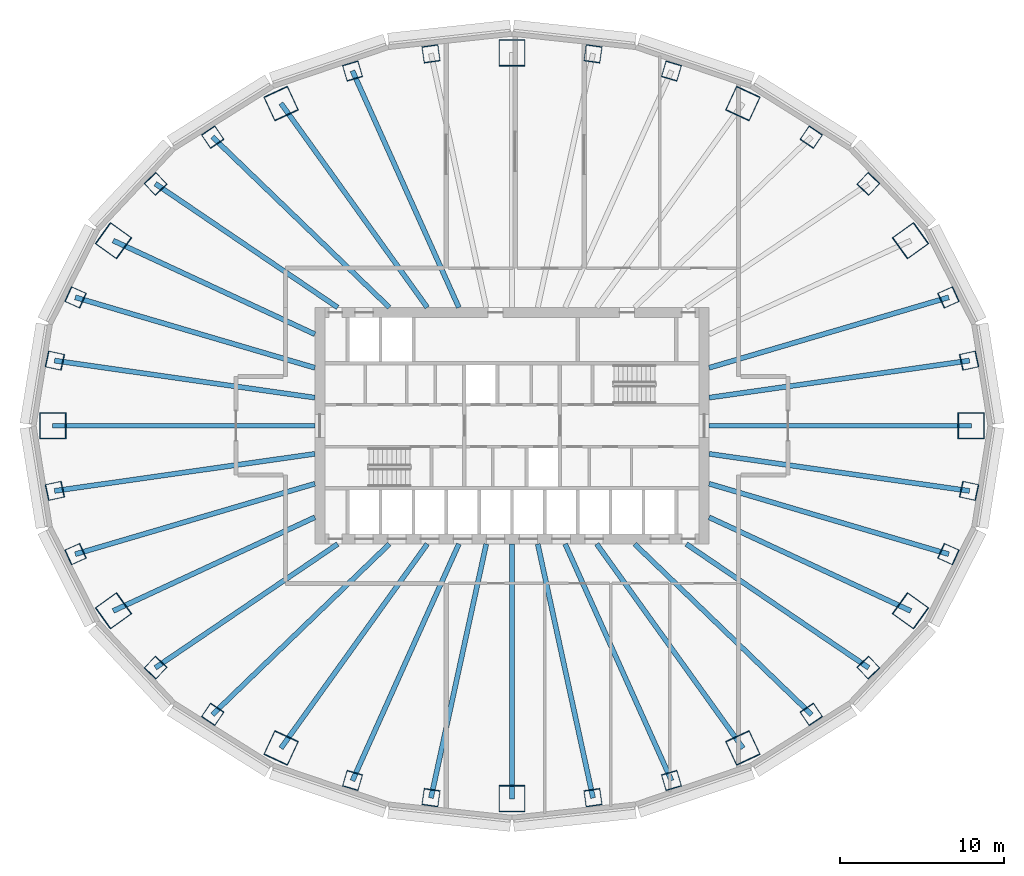
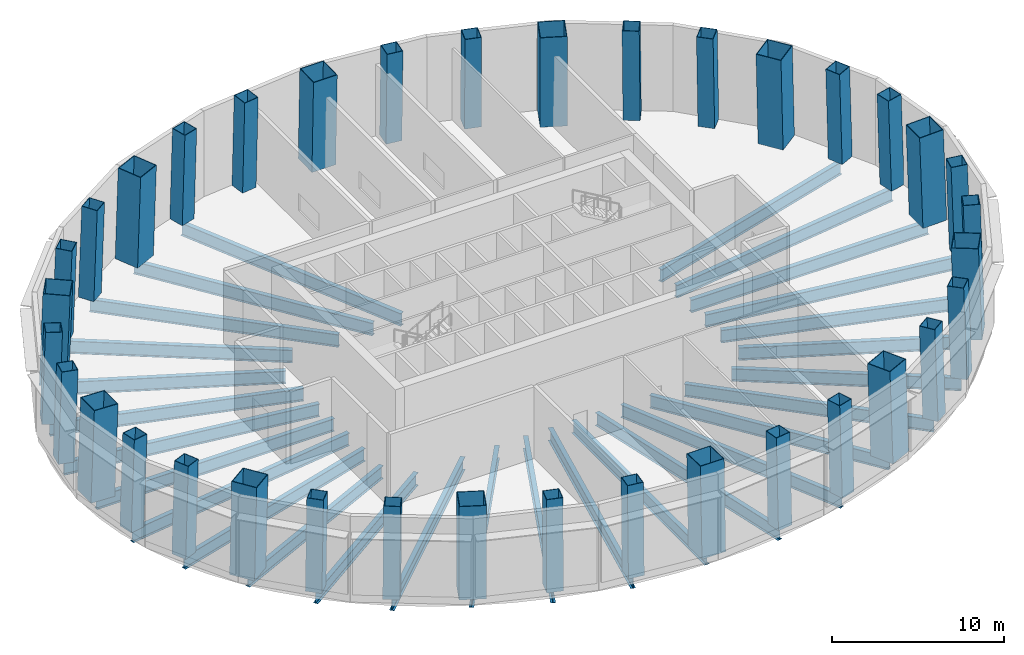
# One storey, part 1 of 9: 36 columns, 28 beams.
"""IFC4 building model written with IfcOpenShell, lengths in metres."""

from ifc_helpers import new_model, si_unit, direction, frame, origin, origin_2d, place, context, subcontext, project, spatial, hollow_rectangle, i_section, extrude, material, material_profile, profile_set, type_object, element, save


model = new_model("IFC4")

# Units and contexts
model_context = context("Model", 3, precision=1e-05, world=origin(), true_north=direction((0.0, 1.0)))
body_context = subcontext(model_context, "Body", "Model", "MODEL_VIEW")
ifc_project = project(units=[si_unit("LENGTHUNIT", "METRE"), si_unit("AREAUNIT", "SQUARE_METRE"), si_unit("VOLUMEUNIT", "CUBIC_METRE"), si_unit("PLANEANGLEUNIT", "RADIAN"), si_unit("MASSUNIT", "GRAM", prefix="KILO")], contexts=[model_context])

# Site, building, storey
site_placement = place(None, origin())
site = spatial("IfcSite", under=ifc_project, at=site_placement, CompositionType="ELEMENT")
building_placement = place(site_placement, origin())
building = spatial("IfcBuilding", under=site, at=building_placement, Name="Siaravel Broadcast Tower", CompositionType="ELEMENT")
storey_placement = place(building_placement, frame((0.0, 0.0, 13.5)))
storey = spatial("IfcBuildingStorey", under=building, at=storey_placement, Name="L02", CompositionType="ELEMENT", Elevation=13.5)

# Columns
ifc_material_1 = material(Name="Concrete C70/85", Category="concrete")
ifc_material_profile_1 = material_profile(ifc_material_1, hollow_rectangle(XDim=1.0, YDim=1.0, WallThickness=0.031982421875, at=origin_2d()))
ifc_profile_set_1 = profile_set([ifc_material_profile_1], Name="Concrete C70/85")
column_type_1 = type_object("IfcColumnType", Name="COL-CFT BOX 1000x1000x32", PredefinedType="COLUMN", material=ifc_profile_set_1)
column_1_placement = place(storey_placement, frame((27.851318359375, 3.96728515625, 0.0), z_axis=(-0.034084339, -0.004917454, 0.999406862), x_axis=(0.212163477, -0.977231174, 0.002427402)))
element("IfcColumn", 1, at=column_1_placement, inside=storey, type_object=column_type_1, Name="Perimeter column C01", PredefinedType="COLUMN", context=body_context, shape_type="SweptSolid", body=[
    extrude(hollow_rectangle(XDim=1.0, YDim=1.0, WallThickness=0.031982421875, at=origin_2d()), origin(), (0.0, 0.0, 1.0), 6.50390625),
])
column_2_placement = place(storey_placement, frame((26.590576171875, 7.820556640625, 0.0), z_axis=(-0.032508325, -0.009684928, 0.99942454), x_axis=(0.409196382, -0.912435399, 0.004467989)))
element("IfcColumn", 2, at=column_2_placement, inside=storey, type_object=column_type_1, Name="Perimeter column C02", PredefinedType="COLUMN", context=body_context, shape_type="SweptSolid", body=[
    extrude(hollow_rectangle(XDim=1.0, YDim=1.0, WallThickness=0.031982421875, at=origin_2d()), origin(), (0.0, 0.0, 1.0), 6.503662109375),
])
column_3_placement = place(storey_placement, frame((21.7138671875, 14.736083984375, 0.0), z_axis=(-0.026503697, -0.018244755, 0.999482207), x_axis=(0.720114233, -0.693825729, 0.006430339)))
element("IfcColumn", 3, at=column_3_placement, inside=storey, type_object=column_type_1, Name="Perimeter column C03", PredefinedType="COLUMN", context=body_context, shape_type="SweptSolid", body=[
    extrude(hollow_rectangle(XDim=1.0, YDim=1.0, WallThickness=0.031982421875, at=origin_2d()), origin(), (0.0, 0.0, 1.0), 6.50341796875),
])
column_4_placement = place(storey_placement, frame((18.23583984375, 17.584716796875, 0.0), z_axis=(-0.02222483, -0.021736785, 0.999516668), x_axis=(0.828029857, -0.560649514, 0.006219111)))
element("IfcColumn", 4, at=column_4_placement, inside=storey, type_object=column_type_1, Name="Perimeter column C04", PredefinedType="COLUMN", context=body_context, shape_type="SweptSolid", body=[
    extrude(hollow_rectangle(XDim=1.0, YDim=1.0, WallThickness=0.031982421875, at=origin_2d()), origin(), (0.0, 0.0, 1.0), 6.503173828125),
])
for number, where, z_axis, x_axis, name in (
    (5, (9.7158203125, 21.61279296875, 0.0), (-0.011863949, -0.026618797, 0.999575253), (0.95920508, -0.282684877, 0.003856867), "Perimeter column C05"),
    (6, (4.9345703125, 22.662109375, 0.0), (-0.006007168, -0.027895787, 0.999592787), (0.99004787, -0.140716468, 0.002022811), "Perimeter column C06"),
    (7, (-4.9345703125, 22.662109375, 0.0), (0.006007168, -0.027895787, 0.999592787), (0.99004787, 0.140716468, -0.002022811), "Perimeter column C07"),
    (8, (-9.7158203125, 21.61279296875, 0.0), (0.011863949, -0.026618797, 0.999575253), (0.95920508, 0.282684877, -0.003856867), "Perimeter column C08"),
):
    element("IfcColumn", number, at=place(storey_placement, frame(where, z_axis=z_axis, x_axis=x_axis)), inside=storey, type_object=column_type_1, Name=name, PredefinedType="COLUMN", context=body_context, shape_type="SweptSolid", body=[
        extrude(hollow_rectangle(XDim=1.0, YDim=1.0, WallThickness=0.031982421875, at=origin_2d()), origin(), (0.0, 0.0, 1.0), 6.502685546875),
    ])
column_5_placement = place(storey_placement, frame((-18.23583984375, 17.584716796875, 0.0), z_axis=(0.02222483, -0.021736785, 0.999516668), x_axis=(0.828029857, 0.560649514, -0.006219111)))
element("IfcColumn", 9, at=column_5_placement, inside=storey, type_object=column_type_1, Name="Perimeter column C09", PredefinedType="COLUMN", context=body_context, shape_type="SweptSolid", body=[
    extrude(hollow_rectangle(XDim=1.0, YDim=1.0, WallThickness=0.031982421875, at=origin_2d()), origin(), (0.0, 0.0, 1.0), 6.503173828125),
])
column_6_placement = place(storey_placement, frame((-21.7138671875, 14.736083984375, 0.0), z_axis=(0.026503697, -0.018244755, 0.999482207), x_axis=(0.720114233, 0.693825729, -0.006430339)))
element("IfcColumn", 10, at=column_6_placement, inside=storey, type_object=column_type_1, Name="Perimeter column C10", PredefinedType="COLUMN", context=body_context, shape_type="SweptSolid", body=[
    extrude(hollow_rectangle(XDim=1.0, YDim=1.0, WallThickness=0.031982421875, at=origin_2d()), origin(), (0.0, 0.0, 1.0), 6.50341796875),
])
column_7_placement = place(storey_placement, frame((-26.590576171875, 7.820556640625, 0.0), z_axis=(0.032508325, -0.009684928, 0.99942454), x_axis=(0.409196382, 0.912435399, -0.004467989)))
element("IfcColumn", 11, at=column_7_placement, inside=storey, type_object=column_type_1, Name="Perimeter column C11", PredefinedType="COLUMN", context=body_context, shape_type="SweptSolid", body=[
    extrude(hollow_rectangle(XDim=1.0, YDim=1.0, WallThickness=0.031982421875, at=origin_2d()), origin(), (0.0, 0.0, 1.0), 6.503662109375),
])
for number, where, z_axis, x_axis, name in (
    (12, (-27.851318359375, 3.96728515625, 0.0), (0.034084339, -0.004917454, 0.999406862), (0.212163477, 0.977231174, -0.002427402), "Perimeter column C12"),
    (13, (-27.851318359375, -3.96728515625, 0.0), (0.034084339, 0.004917454, 0.999406862), (-0.212163477, 0.977231174, 0.002427402), "Perimeter column C13"),
):
    element("IfcColumn", number, at=place(storey_placement, frame(where, z_axis=z_axis, x_axis=x_axis)), inside=storey, type_object=column_type_1, Name=name, PredefinedType="COLUMN", context=body_context, shape_type="SweptSolid", body=[
        extrude(hollow_rectangle(XDim=1.0, YDim=1.0, WallThickness=0.031982421875, at=origin_2d()), origin(), (0.0, 0.0, 1.0), 6.50390625),
    ])
column_8_placement = place(storey_placement, frame((-26.590576171875, -7.820556640625, 0.0), z_axis=(0.032508325, 0.009684928, 0.99942454), x_axis=(-0.409196382, 0.912435399, 0.004467989)))
element("IfcColumn", 14, at=column_8_placement, inside=storey, type_object=column_type_1, Name="Perimeter column C14", PredefinedType="COLUMN", context=body_context, shape_type="SweptSolid", body=[
    extrude(hollow_rectangle(XDim=1.0, YDim=1.0, WallThickness=0.031982421875, at=origin_2d()), origin(), (0.0, 0.0, 1.0), 6.503662109375),
])
column_9_placement = place(storey_placement, frame((-21.7138671875, -14.736083984375, 0.0), z_axis=(0.026503697, 0.018244755, 0.999482207), x_axis=(-0.720114233, 0.693825729, 0.006430339)))
element("IfcColumn", 15, at=column_9_placement, inside=storey, type_object=column_type_1, Name="Perimeter column C15", PredefinedType="COLUMN", context=body_context, shape_type="SweptSolid", body=[
    extrude(hollow_rectangle(XDim=1.0, YDim=1.0, WallThickness=0.031982421875, at=origin_2d()), origin(), (0.0, 0.0, 1.0), 6.50341796875),
])
column_10_placement = place(storey_placement, frame((-18.23583984375, -17.584716796875, 0.0), z_axis=(0.02222483, 0.021736785, 0.999516668), x_axis=(-0.828029857, 0.560649514, 0.006219111)))
element("IfcColumn", 16, at=column_10_placement, inside=storey, type_object=column_type_1, Name="Perimeter column C16", PredefinedType="COLUMN", context=body_context, shape_type="SweptSolid", body=[
    extrude(hollow_rectangle(XDim=1.0, YDim=1.0, WallThickness=0.031982421875, at=origin_2d()), origin(), (0.0, 0.0, 1.0), 6.503173828125),
])
for number, where, z_axis, x_axis, name in (
    (17, (-9.7158203125, -21.61279296875, 0.0), (0.011863949, 0.026618797, 0.999575253), (-0.95920508, 0.282684877, 0.003856867), "Perimeter column C17"),
    (18, (-4.9345703125, -22.662109375, 0.0), (0.006007168, 0.027895787, 0.999592787), (-0.99004787, 0.140716468, 0.002022811), "Perimeter column C18"),
    (19, (4.9345703125, -22.662109375, 0.0), (-0.006007168, 0.027895787, 0.999592787), (-0.99004787, -0.140716468, -0.002022811), "Perimeter column C19"),
    (20, (9.7158203125, -21.61279296875, 0.0), (-0.011863949, 0.026618797, 0.999575253), (-0.95920508, -0.282684877, -0.003856867), "Perimeter column C20"),
):
    element("IfcColumn", number, at=place(storey_placement, frame(where, z_axis=z_axis, x_axis=x_axis)), inside=storey, type_object=column_type_1, Name=name, PredefinedType="COLUMN", context=body_context, shape_type="SweptSolid", body=[
        extrude(hollow_rectangle(XDim=1.0, YDim=1.0, WallThickness=0.031982421875, at=origin_2d()), origin(), (0.0, 0.0, 1.0), 6.502685546875),
    ])
column_11_placement = place(storey_placement, frame((18.23583984375, -17.584716796875, 0.0), z_axis=(-0.02222483, 0.021736785, 0.999516668), x_axis=(-0.828029857, -0.560649514, -0.006219111)))
element("IfcColumn", 21, at=column_11_placement, inside=storey, type_object=column_type_1, Name="Perimeter column C21", PredefinedType="COLUMN", context=body_context, shape_type="SweptSolid", body=[
    extrude(hollow_rectangle(XDim=1.0, YDim=1.0, WallThickness=0.031982421875, at=origin_2d()), origin(), (0.0, 0.0, 1.0), 6.503173828125),
])
column_12_placement = place(storey_placement, frame((21.7138671875, -14.736083984375, 0.0), z_axis=(-0.026503697, 0.018244755, 0.999482207), x_axis=(-0.720114233, -0.693825729, -0.006430339)))
element("IfcColumn", 22, at=column_12_placement, inside=storey, type_object=column_type_1, Name="Perimeter column C22", PredefinedType="COLUMN", context=body_context, shape_type="SweptSolid", body=[
    extrude(hollow_rectangle(XDim=1.0, YDim=1.0, WallThickness=0.031982421875, at=origin_2d()), origin(), (0.0, 0.0, 1.0), 6.50341796875),
])
column_13_placement = place(storey_placement, frame((26.590576171875, -7.820556640625, 0.0), z_axis=(-0.032508325, 0.009684928, 0.99942454), x_axis=(-0.409196382, -0.912435399, -0.004467989)))
element("IfcColumn", 23, at=column_13_placement, inside=storey, type_object=column_type_1, Name="Perimeter column C23", PredefinedType="COLUMN", context=body_context, shape_type="SweptSolid", body=[
    extrude(hollow_rectangle(XDim=1.0, YDim=1.0, WallThickness=0.031982421875, at=origin_2d()), origin(), (0.0, 0.0, 1.0), 6.503662109375),
])
column_14_placement = place(storey_placement, frame((27.851318359375, -3.96728515625, 0.0), z_axis=(-0.034084339, 0.004917454, 0.999406862), x_axis=(-0.212163477, -0.977231174, -0.002427402)))
element("IfcColumn", 24, at=column_14_placement, inside=storey, type_object=column_type_1, Name="Perimeter column C24", PredefinedType="COLUMN", context=body_context, shape_type="SweptSolid", body=[
    extrude(hollow_rectangle(XDim=1.0, YDim=1.0, WallThickness=0.031982421875, at=origin_2d()), origin(), (0.0, 0.0, 1.0), 6.50390625),
])
ifc_material_profile_2 = material_profile(ifc_material_1, hollow_rectangle(XDim=1.60009765625, YDim=1.60009765625, WallThickness=0.0400390625, at=origin_2d()))
ifc_profile_set_2 = profile_set([ifc_material_profile_2], Name="Concrete C70/85")
column_type_2 = type_object("IfcColumnType", Name="COL-CFT BOX 1600x1600x40", PredefinedType="COLUMN", material=ifc_profile_set_2)
column_15_placement = place(storey_placement, frame((27.97509765625, 0.0, 0.0), z_axis=(-0.034609662, 0.0, 0.999400906), x_axis=(0.0, -1.0, 0.0)))
element("IfcColumn", 25, at=column_15_placement, inside=storey, type_object=column_type_2, Name="Megacolumn MC01", PredefinedType="COLUMN", context=body_context, shape_type="SweptSolid", body=[
    extrude(hollow_rectangle(XDim=1.60009765625, YDim=1.60009765625, WallThickness=0.0400390625, at=origin_2d()), origin(), (0.0, 0.0, 1.0), 6.50390625),
])
column_16_placement = place(storey_placement, frame((24.280517578125, 11.274169921875, 0.0), z_axis=(-0.029956486, -0.014189914, 0.999450477), x_axis=(0.582278142, -0.812968162, 0.005910306)))
element("IfcColumn", 26, at=column_16_placement, inside=storey, type_object=column_type_2, Name="Megacolumn MC02", PredefinedType="COLUMN", context=body_context, shape_type="SweptSolid", body=[
    extrude(hollow_rectangle(XDim=1.60009765625, YDim=1.60009765625, WallThickness=0.0400390625, at=origin_2d()), origin(), (0.0, 0.0, 1.0), 6.503662109375),
])
column_17_placement = place(storey_placement, frame((14.067138671875, 19.630615234375, 0.0), z_axis=(-0.017269858, -0.024553233, 0.999549344), x_axis=(0.907685878, -0.419615843, 0.005375103)))
element("IfcColumn", 27, at=column_17_placement, inside=storey, type_object=column_type_2, Name="Megacolumn MC03", PredefinedType="COLUMN", context=body_context, shape_type="SweptSolid", body=[
    extrude(hollow_rectangle(XDim=1.60009765625, YDim=1.60009765625, WallThickness=0.0400390625, at=origin_2d()), origin(), (0.0, 0.0, 1.0), 6.5029296875),
])
column_18_placement = place(storey_placement, frame((0.0, 22.7158203125, 0.0), z_axis=(0.0, -0.028346477, 0.999598158), x_axis=(1.0, 0.0, 0.0)))
element("IfcColumn", 28, at=column_18_placement, inside=storey, type_object=column_type_2, Name="Megacolumn MC04", PredefinedType="COLUMN", context=body_context, shape_type="SweptSolid", body=[
    extrude(hollow_rectangle(XDim=1.60009765625, YDim=1.60009765625, WallThickness=0.0400390625, at=origin_2d()), origin(), (0.0, 0.0, 1.0), 6.502685546875),
])
column_19_placement = place(storey_placement, frame((-14.067138671875, 19.630615234375, 0.0), z_axis=(0.017269858, -0.024553233, 0.999549344), x_axis=(0.907685878, 0.419615843, -0.005375103)))
element("IfcColumn", 29, at=column_19_placement, inside=storey, type_object=column_type_2, Name="Megacolumn MC05", PredefinedType="COLUMN", context=body_context, shape_type="SweptSolid", body=[
    extrude(hollow_rectangle(XDim=1.60009765625, YDim=1.60009765625, WallThickness=0.0400390625, at=origin_2d()), origin(), (0.0, 0.0, 1.0), 6.5029296875),
])
column_20_placement = place(storey_placement, frame((-24.280517578125, 11.274169921875, 0.0), z_axis=(0.029956486, -0.014189914, 0.999450477), x_axis=(0.582278142, 0.812968162, -0.005910306)))
element("IfcColumn", 30, at=column_20_placement, inside=storey, type_object=column_type_2, Name="Megacolumn MC06", PredefinedType="COLUMN", context=body_context, shape_type="SweptSolid", body=[
    extrude(hollow_rectangle(XDim=1.60009765625, YDim=1.60009765625, WallThickness=0.0400390625, at=origin_2d()), origin(), (0.0, 0.0, 1.0), 6.503662109375),
])
column_21_placement = place(storey_placement, frame((-27.97509765625, 0.0, 0.0), z_axis=(0.034609662, 0.0, 0.999400906), x_axis=(0.0, 1.0, 0.0)))
element("IfcColumn", 31, at=column_21_placement, inside=storey, type_object=column_type_2, Name="Megacolumn MC07", PredefinedType="COLUMN", context=body_context, shape_type="SweptSolid", body=[
    extrude(hollow_rectangle(XDim=1.60009765625, YDim=1.60009765625, WallThickness=0.0400390625, at=origin_2d()), origin(), (0.0, 0.0, 1.0), 6.50390625),
])
column_22_placement = place(storey_placement, frame((-24.280517578125, -11.274169921875, 0.0), z_axis=(0.029956486, 0.014189914, 0.999450477), x_axis=(-0.582278142, 0.812968162, 0.005910306)))
element("IfcColumn", 32, at=column_22_placement, inside=storey, type_object=column_type_2, Name="Megacolumn MC08", PredefinedType="COLUMN", context=body_context, shape_type="SweptSolid", body=[
    extrude(hollow_rectangle(XDim=1.60009765625, YDim=1.60009765625, WallThickness=0.0400390625, at=origin_2d()), origin(), (0.0, 0.0, 1.0), 6.503662109375),
])
column_23_placement = place(storey_placement, frame((-14.067138671875, -19.630615234375, 0.0), z_axis=(0.017269858, 0.024553233, 0.999549344), x_axis=(-0.907685878, 0.419615843, 0.005375103)))
element("IfcColumn", 33, at=column_23_placement, inside=storey, type_object=column_type_2, Name="Megacolumn MC09", PredefinedType="COLUMN", context=body_context, shape_type="SweptSolid", body=[
    extrude(hollow_rectangle(XDim=1.60009765625, YDim=1.60009765625, WallThickness=0.0400390625, at=origin_2d()), origin(), (0.0, 0.0, 1.0), 6.5029296875),
])
column_24_placement = place(storey_placement, frame((0.0, -22.7158203125, 0.0), z_axis=(0.0, 0.028346477, 0.999598158), x_axis=(-1.0, 0.0, 0.0)))
element("IfcColumn", 34, at=column_24_placement, inside=storey, type_object=column_type_2, Name="Megacolumn MC10", PredefinedType="COLUMN", context=body_context, shape_type="SweptSolid", body=[
    extrude(hollow_rectangle(XDim=1.60009765625, YDim=1.60009765625, WallThickness=0.0400390625, at=origin_2d()), origin(), (0.0, 0.0, 1.0), 6.502685546875),
])
column_25_placement = place(storey_placement, frame((14.067138671875, -19.630615234375, 0.0), z_axis=(-0.017269858, 0.024553233, 0.999549344), x_axis=(-0.907685878, -0.419615843, -0.005375103)))
element("IfcColumn", 35, at=column_25_placement, inside=storey, type_object=column_type_2, Name="Megacolumn MC11", PredefinedType="COLUMN", context=body_context, shape_type="SweptSolid", body=[
    extrude(hollow_rectangle(XDim=1.60009765625, YDim=1.60009765625, WallThickness=0.0400390625, at=origin_2d()), origin(), (0.0, 0.0, 1.0), 6.5029296875),
])
column_26_placement = place(storey_placement, frame((24.280517578125, -11.274169921875, 0.0), z_axis=(-0.029956486, 0.014189914, 0.999450477), x_axis=(-0.582278142, -0.812968162, -0.005910306)))
element("IfcColumn", 36, at=column_26_placement, inside=storey, type_object=column_type_2, Name="Megacolumn MC12", PredefinedType="COLUMN", context=body_context, shape_type="SweptSolid", body=[
    extrude(hollow_rectangle(XDim=1.60009765625, YDim=1.60009765625, WallThickness=0.0400390625, at=origin_2d()), origin(), (0.0, 0.0, 1.0), 6.503662109375),
])

# Beams
ifc_material_2 = material(Name="Steel S355", Category="steel")
ifc_material_profile_3 = material_profile(ifc_material_2, i_section(OverallWidth=0.30322265625, OverallDepth=0.903076171875, WebThickness=0.01513671875, FlangeThickness=0.020263671875, FilletRadius=0.01904296875, at=origin_2d()))
ifc_profile_set_3 = profile_set([ifc_material_profile_3], Name="Steel S355")
beam_type = type_object("IfcBeamType", Name="BM-UB 914x305x201", PredefinedType="BEAM", material=ifc_profile_set_3)
beam_1_placement = place(storey_placement, frame((27.97509765625, 0.0, -0.651611328125), z_axis=(-1.0, 0.0, 0.0), x_axis=(0.0, -1.0, 0.0)))
element("IfcBeam", 37, at=beam_1_placement, inside=storey, type_object=beam_type, Name="Radial beam RB01", PredefinedType="BEAM", context=body_context, shape_type="SweptSolid", body=[
    extrude(i_section(OverallWidth=0.30322265625, OverallDepth=0.903076171875, WebThickness=0.01513671875, FlangeThickness=0.020263671875, FilletRadius=0.01904296875, at=origin_2d()), origin(), (0.0, 0.0, 1.0), 15.97509765625),
])
beam_2_placement = place(storey_placement, frame((27.851318359375, 3.96728515625, -0.651611328125), z_axis=(-0.990005528, -0.141028557, 0.0), x_axis=(0.141028557, -0.990005528, 0.0)))
element("IfcBeam", 38, at=beam_2_placement, inside=storey, type_object=beam_type, Name="Radial beam RB02", PredefinedType="BEAM", context=body_context, shape_type="SweptSolid", body=[
    extrude(i_section(OverallWidth=0.30322265625, OverallDepth=0.903076171875, WebThickness=0.01513671875, FlangeThickness=0.020263671875, FilletRadius=0.01904296875, at=origin_2d()), origin(), (0.0, 0.0, 1.0), 16.01123046875),
])
beam_3_placement = place(storey_placement, frame((26.590576171875, 7.820556640625, -0.651611328125), z_axis=(-0.959367035, -0.282161109, 0.0), x_axis=(0.282161109, -0.959367035, 0.0)))
element("IfcBeam", 39, at=beam_3_placement, inside=storey, type_object=beam_type, Name="Radial beam RB03", PredefinedType="BEAM", context=body_context, shape_type="SweptSolid", body=[
    extrude(i_section(OverallWidth=0.30322265625, OverallDepth=0.903076171875, WebThickness=0.01513671875, FlangeThickness=0.020263671875, FilletRadius=0.01904296875, at=origin_2d()), origin(), (0.0, 0.0, 1.0), 15.20849609375),
])
beam_4_placement = place(storey_placement, frame((-9.7158203125, 21.61279296875, -0.651611328125), z_axis=(0.410020963, -0.912076099, 0.0), x_axis=(0.912076099, 0.410020963, 0.0)))
element("IfcBeam", 40, at=beam_4_placement, inside=storey, type_object=beam_type, Name="Radial beam RB12", PredefinedType="BEAM", context=body_context, shape_type="SweptSolid", body=[
    extrude(i_section(OverallWidth=0.30322265625, OverallDepth=0.903076171875, WebThickness=0.01513671875, FlangeThickness=0.020263671875, FilletRadius=0.01904296875, at=origin_2d()), origin(), (0.0, 0.0, 1.0), 15.80224609375),
])
beam_5_placement = place(storey_placement, frame((-14.067138671875, 19.630615234375, -0.651611328125), z_axis=(0.582478861, -0.81284585, 0.0), x_axis=(0.81284585, 0.582478861, 0.0)))
element("IfcBeam", 41, at=beam_5_placement, inside=storey, type_object=beam_type, Name="Radial beam RB13", PredefinedType="BEAM", context=body_context, shape_type="SweptSolid", body=[
    extrude(i_section(OverallWidth=0.30322265625, OverallDepth=0.903076171875, WebThickness=0.01513671875, FlangeThickness=0.020263671875, FilletRadius=0.01904296875, at=origin_2d()), origin(), (0.0, 0.0, 1.0), 15.292724609375),
])
beam_6_placement = place(storey_placement, frame((-18.23583984375, 17.584716796875, -0.651611328125), z_axis=(0.719833229, -0.694147047, 0.0), x_axis=(0.694147047, 0.719833229, 0.0)))
element("IfcBeam", 42, at=beam_6_placement, inside=storey, type_object=beam_type, Name="Radial beam RB14", PredefinedType="BEAM", context=body_context, shape_type="SweptSolid", body=[
    extrude(i_section(OverallWidth=0.30322265625, OverallDepth=0.903076171875, WebThickness=0.01513671875, FlangeThickness=0.020263671875, FilletRadius=0.01904296875, at=origin_2d()), origin(), (0.0, 0.0, 1.0), 14.96044921875),
])
beam_7_placement = place(storey_placement, frame((-21.7138671875, 14.736083984375, -0.651611328125), z_axis=(0.82744317, -0.561549463, 0.0), x_axis=(0.561549463, 0.82744317, 0.0)))
element("IfcBeam", 43, at=beam_7_placement, inside=storey, type_object=beam_type, Name="Radial beam RB15", PredefinedType="BEAM", context=body_context, shape_type="SweptSolid", body=[
    extrude(i_section(OverallWidth=0.30322265625, OverallDepth=0.903076171875, WebThickness=0.01513671875, FlangeThickness=0.020263671875, FilletRadius=0.01904296875, at=origin_2d()), origin(), (0.0, 0.0, 1.0), 13.420166015625),
])
beam_8_placement = place(storey_placement, frame((-24.280517578125, 11.274169921875, -0.651611328125), z_axis=(0.906995439, -0.421140444, 0.0), x_axis=(0.421140444, 0.906995439, 0.0)))
element("IfcBeam", 44, at=beam_8_placement, inside=storey, type_object=beam_type, Name="Radial beam RB16", PredefinedType="BEAM", context=body_context, shape_type="SweptSolid", body=[
    extrude(i_section(OverallWidth=0.30322265625, OverallDepth=0.903076171875, WebThickness=0.01513671875, FlangeThickness=0.020263671875, FilletRadius=0.01904296875, at=origin_2d()), origin(), (0.0, 0.0, 1.0), 13.539794921875),
])
beam_9_placement = place(storey_placement, frame((-26.590576171875, 7.820556640625, -0.651611328125), z_axis=(0.959367035, -0.282161109, 0.0), x_axis=(0.282161109, 0.959367035, 0.0)))
element("IfcBeam", 45, at=beam_9_placement, inside=storey, type_object=beam_type, Name="Radial beam RB17", PredefinedType="BEAM", context=body_context, shape_type="SweptSolid", body=[
    extrude(i_section(OverallWidth=0.30322265625, OverallDepth=0.903076171875, WebThickness=0.01513671875, FlangeThickness=0.020263671875, FilletRadius=0.01904296875, at=origin_2d()), origin(), (0.0, 0.0, 1.0), 15.20849609375),
])
beam_10_placement = place(storey_placement, frame((-27.851318359375, 3.96728515625, -0.651611328125), z_axis=(0.990005528, -0.141028557, 0.0), x_axis=(0.141028557, 0.990005528, 0.0)))
element("IfcBeam", 46, at=beam_10_placement, inside=storey, type_object=beam_type, Name="Radial beam RB18", PredefinedType="BEAM", context=body_context, shape_type="SweptSolid", body=[
    extrude(i_section(OverallWidth=0.30322265625, OverallDepth=0.903076171875, WebThickness=0.01513671875, FlangeThickness=0.020263671875, FilletRadius=0.01904296875, at=origin_2d()), origin(), (0.0, 0.0, 1.0), 16.01123046875),
])
beam_11_placement = place(storey_placement, frame((-27.97509765625, 0.0, -0.651611328125), z_axis=(1.0, 0.0, 0.0), x_axis=(0.0, 1.0, 0.0)))
element("IfcBeam", 47, at=beam_11_placement, inside=storey, type_object=beam_type, Name="Radial beam RB19", PredefinedType="BEAM", context=body_context, shape_type="SweptSolid", body=[
    extrude(i_section(OverallWidth=0.30322265625, OverallDepth=0.903076171875, WebThickness=0.01513671875, FlangeThickness=0.020263671875, FilletRadius=0.01904296875, at=origin_2d()), origin(), (0.0, 0.0, 1.0), 15.97509765625),
])
beam_12_placement = place(storey_placement, frame((-27.851318359375, -3.96728515625, -0.651611328125), z_axis=(0.990005528, 0.141028557, 0.0), x_axis=(-0.141028557, 0.990005528, 0.0)))
element("IfcBeam", 48, at=beam_12_placement, inside=storey, type_object=beam_type, Name="Radial beam RB20", PredefinedType="BEAM", context=body_context, shape_type="SweptSolid", body=[
    extrude(i_section(OverallWidth=0.30322265625, OverallDepth=0.903076171875, WebThickness=0.01513671875, FlangeThickness=0.020263671875, FilletRadius=0.01904296875, at=origin_2d()), origin(), (0.0, 0.0, 1.0), 16.01123046875),
])
beam_13_placement = place(storey_placement, frame((-26.590576171875, -7.820556640625, -0.651611328125), z_axis=(0.959367035, 0.282161109, 0.0), x_axis=(-0.282161109, 0.959367035, 0.0)))
element("IfcBeam", 49, at=beam_13_placement, inside=storey, type_object=beam_type, Name="Radial beam RB21", PredefinedType="BEAM", context=body_context, shape_type="SweptSolid", body=[
    extrude(i_section(OverallWidth=0.30322265625, OverallDepth=0.903076171875, WebThickness=0.01513671875, FlangeThickness=0.020263671875, FilletRadius=0.01904296875, at=origin_2d()), origin(), (0.0, 0.0, 1.0), 15.20849609375),
])
beam_14_placement = place(storey_placement, frame((-24.280517578125, -11.274169921875, -0.651611328125), z_axis=(0.906995439, 0.421140444, 0.0), x_axis=(-0.421140444, 0.906995439, 0.0)))
element("IfcBeam", 50, at=beam_14_placement, inside=storey, type_object=beam_type, Name="Radial beam RB22", PredefinedType="BEAM", context=body_context, shape_type="SweptSolid", body=[
    extrude(i_section(OverallWidth=0.30322265625, OverallDepth=0.903076171875, WebThickness=0.01513671875, FlangeThickness=0.020263671875, FilletRadius=0.01904296875, at=origin_2d()), origin(), (0.0, 0.0, 1.0), 13.539794921875),
])
beam_15_placement = place(storey_placement, frame((-21.7138671875, -14.736083984375, -0.651611328125), z_axis=(0.82744317, 0.561549463, 0.0), x_axis=(-0.561549463, 0.82744317, 0.0)))
element("IfcBeam", 51, at=beam_15_placement, inside=storey, type_object=beam_type, Name="Radial beam RB23", PredefinedType="BEAM", context=body_context, shape_type="SweptSolid", body=[
    extrude(i_section(OverallWidth=0.30322265625, OverallDepth=0.903076171875, WebThickness=0.01513671875, FlangeThickness=0.020263671875, FilletRadius=0.01904296875, at=origin_2d()), origin(), (0.0, 0.0, 1.0), 13.420166015625),
])
beam_16_placement = place(storey_placement, frame((-18.23583984375, -17.584716796875, -0.651611328125), z_axis=(0.719833229, 0.694147047, 0.0), x_axis=(-0.694147047, 0.719833229, 0.0)))
element("IfcBeam", 52, at=beam_16_placement, inside=storey, type_object=beam_type, Name="Radial beam RB24", PredefinedType="BEAM", context=body_context, shape_type="SweptSolid", body=[
    extrude(i_section(OverallWidth=0.30322265625, OverallDepth=0.903076171875, WebThickness=0.01513671875, FlangeThickness=0.020263671875, FilletRadius=0.01904296875, at=origin_2d()), origin(), (0.0, 0.0, 1.0), 14.96044921875),
])
beam_17_placement = place(storey_placement, frame((-14.067138671875, -19.630615234375, -0.651611328125), z_axis=(0.582478861, 0.81284585, 0.0), x_axis=(-0.81284585, 0.582478861, 0.0)))
element("IfcBeam", 53, at=beam_17_placement, inside=storey, type_object=beam_type, Name="Radial beam RB25", PredefinedType="BEAM", context=body_context, shape_type="SweptSolid", body=[
    extrude(i_section(OverallWidth=0.30322265625, OverallDepth=0.903076171875, WebThickness=0.01513671875, FlangeThickness=0.020263671875, FilletRadius=0.01904296875, at=origin_2d()), origin(), (0.0, 0.0, 1.0), 15.292724609375),
])
beam_18_placement = place(storey_placement, frame((-9.7158203125, -21.61279296875, -0.651611328125), z_axis=(0.410020963, 0.912076099, 0.0), x_axis=(-0.912076099, 0.410020963, 0.0)))
element("IfcBeam", 54, at=beam_18_placement, inside=storey, type_object=beam_type, Name="Radial beam RB26", PredefinedType="BEAM", context=body_context, shape_type="SweptSolid", body=[
    extrude(i_section(OverallWidth=0.30322265625, OverallDepth=0.903076171875, WebThickness=0.01513671875, FlangeThickness=0.020263671875, FilletRadius=0.01904296875, at=origin_2d()), origin(), (0.0, 0.0, 1.0), 15.80224609375),
])
beam_19_placement = place(storey_placement, frame((-4.9345703125, -22.662109375, -0.651611328125), z_axis=(0.212767823, 0.977102786, 0.0), x_axis=(-0.977102786, 0.212767823, 0.0)))
element("IfcBeam", 55, at=beam_19_placement, inside=storey, type_object=beam_type, Name="Radial beam RB27", PredefinedType="BEAM", context=body_context, shape_type="SweptSolid", body=[
    extrude(i_section(OverallWidth=0.30322265625, OverallDepth=0.903076171875, WebThickness=0.01513671875, FlangeThickness=0.020263671875, FilletRadius=0.01904296875, at=origin_2d()), origin(), (0.0, 0.0, 1.0), 15.824462890625),
])
beam_20_placement = place(storey_placement, frame((0.0, -22.7158203125, -0.651611328125), z_axis=(0.0, 1.0, 0.0), x_axis=(-1.0, 0.0, 0.0)))
element("IfcBeam", 56, at=beam_20_placement, inside=storey, type_object=beam_type, Name="Radial beam RB28", PredefinedType="BEAM", context=body_context, shape_type="SweptSolid", body=[
    extrude(i_section(OverallWidth=0.30322265625, OverallDepth=0.903076171875, WebThickness=0.01513671875, FlangeThickness=0.020263671875, FilletRadius=0.01904296875, at=origin_2d()), origin(), (0.0, 0.0, 1.0), 15.515869140625),
])
beam_21_placement = place(storey_placement, frame((4.9345703125, -22.662109375, -0.651611328125), z_axis=(-0.212767823, 0.977102786, 0.0), x_axis=(-0.977102786, -0.212767823, 0.0)))
element("IfcBeam", 57, at=beam_21_placement, inside=storey, type_object=beam_type, Name="Radial beam RB29", PredefinedType="BEAM", context=body_context, shape_type="SweptSolid", body=[
    extrude(i_section(OverallWidth=0.30322265625, OverallDepth=0.903076171875, WebThickness=0.01513671875, FlangeThickness=0.020263671875, FilletRadius=0.01904296875, at=origin_2d()), origin(), (0.0, 0.0, 1.0), 15.824462890625),
])
beam_22_placement = place(storey_placement, frame((9.7158203125, -21.61279296875, -0.651611328125), z_axis=(-0.410020963, 0.912076099, 0.0), x_axis=(-0.912076099, -0.410020963, 0.0)))
element("IfcBeam", 58, at=beam_22_placement, inside=storey, type_object=beam_type, Name="Radial beam RB30", PredefinedType="BEAM", context=body_context, shape_type="SweptSolid", body=[
    extrude(i_section(OverallWidth=0.30322265625, OverallDepth=0.903076171875, WebThickness=0.01513671875, FlangeThickness=0.020263671875, FilletRadius=0.01904296875, at=origin_2d()), origin(), (0.0, 0.0, 1.0), 15.80224609375),
])
beam_23_placement = place(storey_placement, frame((14.067138671875, -19.630615234375, -0.651611328125), z_axis=(-0.582478861, 0.81284585, 0.0), x_axis=(-0.81284585, -0.582478861, 0.0)))
element("IfcBeam", 59, at=beam_23_placement, inside=storey, type_object=beam_type, Name="Radial beam RB31", PredefinedType="BEAM", context=body_context, shape_type="SweptSolid", body=[
    extrude(i_section(OverallWidth=0.30322265625, OverallDepth=0.903076171875, WebThickness=0.01513671875, FlangeThickness=0.020263671875, FilletRadius=0.01904296875, at=origin_2d()), origin(), (0.0, 0.0, 1.0), 15.292724609375),
])
beam_24_placement = place(storey_placement, frame((18.23583984375, -17.584716796875, -0.651611328125), z_axis=(-0.719833229, 0.694147047, 0.0), x_axis=(-0.694147047, -0.719833229, 0.0)))
element("IfcBeam", 60, at=beam_24_placement, inside=storey, type_object=beam_type, Name="Radial beam RB32", PredefinedType="BEAM", context=body_context, shape_type="SweptSolid", body=[
    extrude(i_section(OverallWidth=0.30322265625, OverallDepth=0.903076171875, WebThickness=0.01513671875, FlangeThickness=0.020263671875, FilletRadius=0.01904296875, at=origin_2d()), origin(), (0.0, 0.0, 1.0), 14.96044921875),
])
beam_25_placement = place(storey_placement, frame((21.7138671875, -14.736083984375, -0.651611328125), z_axis=(-0.82744317, 0.561549463, 0.0), x_axis=(-0.561549463, -0.82744317, 0.0)))
element("IfcBeam", 61, at=beam_25_placement, inside=storey, type_object=beam_type, Name="Radial beam RB33", PredefinedType="BEAM", context=body_context, shape_type="SweptSolid", body=[
    extrude(i_section(OverallWidth=0.30322265625, OverallDepth=0.903076171875, WebThickness=0.01513671875, FlangeThickness=0.020263671875, FilletRadius=0.01904296875, at=origin_2d()), origin(), (0.0, 0.0, 1.0), 13.420166015625),
])
beam_26_placement = place(storey_placement, frame((24.280517578125, -11.274169921875, -0.651611328125), z_axis=(-0.906995439, 0.421140444, 0.0), x_axis=(-0.421140444, -0.906995439, 0.0)))
element("IfcBeam", 62, at=beam_26_placement, inside=storey, type_object=beam_type, Name="Radial beam RB34", PredefinedType="BEAM", context=body_context, shape_type="SweptSolid", body=[
    extrude(i_section(OverallWidth=0.30322265625, OverallDepth=0.903076171875, WebThickness=0.01513671875, FlangeThickness=0.020263671875, FilletRadius=0.01904296875, at=origin_2d()), origin(), (0.0, 0.0, 1.0), 13.539794921875),
])
beam_27_placement = place(storey_placement, frame((26.590576171875, -7.820556640625, -0.651611328125), z_axis=(-0.959367035, 0.282161109, 0.0), x_axis=(-0.282161109, -0.959367035, 0.0)))
element("IfcBeam", 63, at=beam_27_placement, inside=storey, type_object=beam_type, Name="Radial beam RB35", PredefinedType="BEAM", context=body_context, shape_type="SweptSolid", body=[
    extrude(i_section(OverallWidth=0.30322265625, OverallDepth=0.903076171875, WebThickness=0.01513671875, FlangeThickness=0.020263671875, FilletRadius=0.01904296875, at=origin_2d()), origin(), (0.0, 0.0, 1.0), 15.20849609375),
])
beam_28_placement = place(storey_placement, frame((27.851318359375, -3.96728515625, -0.651611328125), z_axis=(-0.990005528, 0.141028557, 0.0), x_axis=(-0.141028557, -0.990005528, 0.0)))
element("IfcBeam", 64, at=beam_28_placement, inside=storey, type_object=beam_type, Name="Radial beam RB36", PredefinedType="BEAM", context=body_context, shape_type="SweptSolid", body=[
    extrude(i_section(OverallWidth=0.30322265625, OverallDepth=0.903076171875, WebThickness=0.01513671875, FlangeThickness=0.020263671875, FilletRadius=0.01904296875, at=origin_2d()), origin(), (0.0, 0.0, 1.0), 16.01123046875),
])

save(model, "model.ifc")
